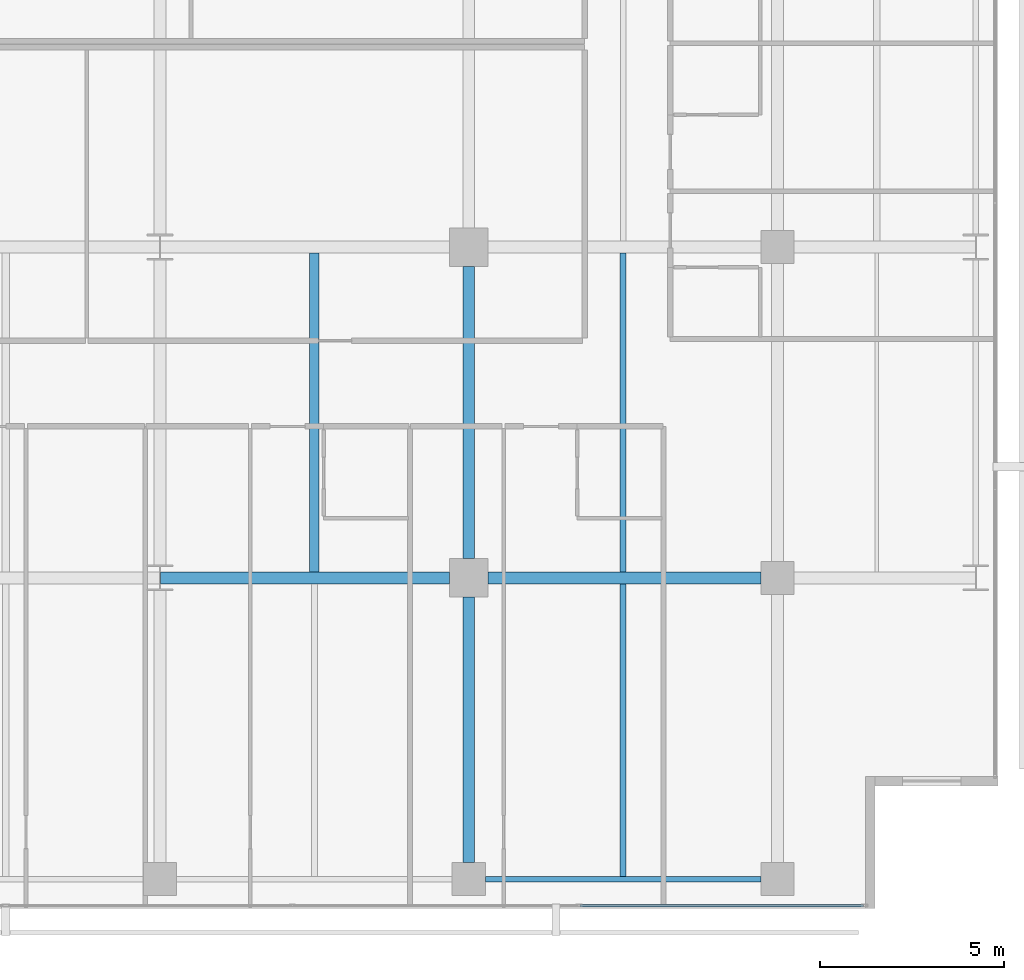
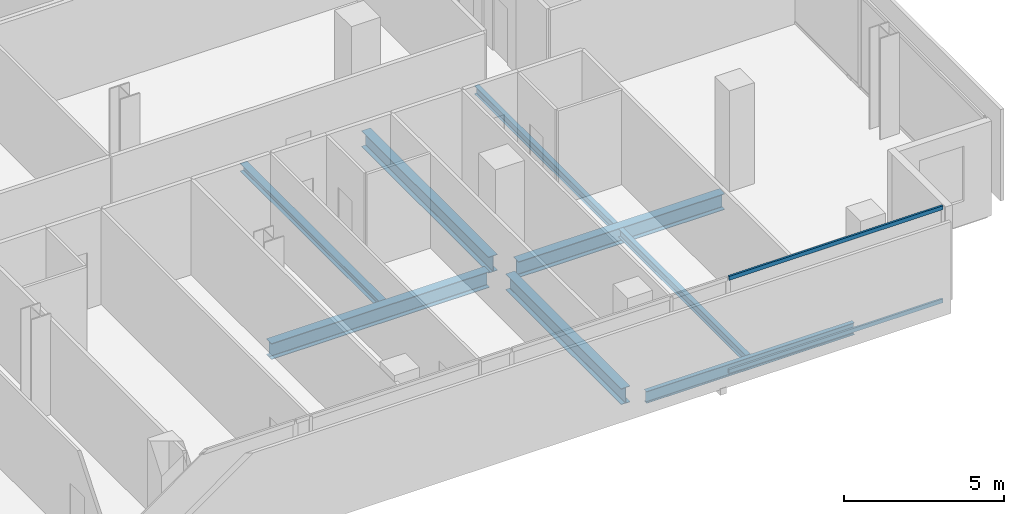
# One storey, part 15 of 40: 8 beams, 2 members, 1 element without a shape of its own.
"""IFC4 building model written with IfcOpenShell, lengths in metres."""

from ifc_helpers import new_model, si_unit, direction, frame, origin, origin_2d, place, context, subcontext, project, spatial, hollow_rectangle, i_section, extrude, material, layer, layer_set, material_profile, profile_set, type_object, element, aggregate, save


model = new_model("IFC4")

# Units and contexts
model_context = context("Model", 3, precision=1e-05, world=origin(), true_north=direction((0.0, 1.0)))
body_context = subcontext(model_context, "Body", "Model", "MODEL_VIEW")
ifc_project = project(units=[si_unit("LENGTHUNIT", "METRE"), si_unit("AREAUNIT", "SQUARE_METRE"), si_unit("VOLUMEUNIT", "CUBIC_METRE"), si_unit("PLANEANGLEUNIT", "RADIAN"), si_unit("MASSUNIT", "GRAM", prefix="KILO")], contexts=[model_context])

# Site, building, storey
site_placement = place(None, origin())
site = spatial("IfcSite", under=ifc_project, at=site_placement, CompositionType="ELEMENT")
building_placement = place(site_placement, origin())
building = spatial("IfcBuilding", under=site, at=building_placement, Name="Maruvema Waterfront Hotel and Observation Tower", CompositionType="ELEMENT")
storey_placement = place(building_placement, frame((0.0, 0.0, 77.0)))
storey = spatial("IfcBuildingStorey", under=building, at=storey_placement, Name="L18", CompositionType="ELEMENT", Elevation=77.0)

# Curtain wall, members
ifc_material_1 = material(Name="Anodised bronze aluminium and solar-control low-E IGU", Category="aluminium")
ifc_layer = layer(ifc_material_1, 0.159912109375, Name="Zone 1 Bronze Inner Thermal Curtain Wall System CW-02")
ifc_layer_set = layer_set([ifc_layer], Name="Anodised bronze aluminium and solar-control low-E IGU")
curtain_wall_type = type_object("IfcCurtainWallType", Name="Zone 1 Bronze Inner Thermal Curtain Wall System CW-02", PredefinedType="USERDEFINED", material=ifc_layer_set)
curtain_wall_placement = place(storey_placement, origin())
curtain_wall = element("IfcCurtainWall", 1, at=curtain_wall_placement, inside=storey, type_object=curtain_wall_type, Name="L18 Curtain Wall CW-L18-S", ObjectType="UNITISED CURTAIN WALL", PredefinedType="USERDEFINED")
ifc_material_2 = material(Name="Anodised architectural bronze aluminium", Category="aluminium")
ifc_material_profile_1 = material_profile(ifc_material_2, hollow_rectangle(XDim=0.070068359375, YDim=0.14990234375, WallThickness=0.00390625, at=origin_2d()), Name="ALU-T70x150")
ifc_profile_set_1 = profile_set([ifc_material_profile_1], Name="Anodised architectural bronze aluminium")
member_type = type_object("IfcMemberType", Name="Curtain Wall Horizontal Transom ALU-T70x150", PredefinedType="USERDEFINED", material=ifc_profile_set_1)
member_1_placement = place(storey_placement, frame((53.429931640625, 0.080078125, 0.030029296875), z_axis=(1.0, 0.0, 0.0), x_axis=(0.0, 1.0, 0.0)))
member_1 = element("IfcMember", 2, at=member_1_placement, type_object=member_type, Name="CW-02 transom 6.1", ObjectType="TRANSOM", PredefinedType="USERDEFINED", context=body_context, shape_type="SweptSolid", body=[
    extrude(hollow_rectangle(XDim=0.070068359375, YDim=0.14990234375, WallThickness=0.00390625, at=origin_2d()), origin(), (0.0, 0.0, 1.0), 7.7099609375),
])
member_2_placement = place(storey_placement, frame((53.429931640625, 0.080078125, 3.580078125), z_axis=(1.0, 0.0, 0.0), x_axis=(0.0, 1.0, 0.0)))
member_2 = element("IfcMember", 3, at=member_2_placement, type_object=member_type, Name="CW-02 transom 6.2", ObjectType="TRANSOM", PredefinedType="USERDEFINED", context=body_context, shape_type="SweptSolid", body=[
    extrude(hollow_rectangle(XDim=0.070068359375, YDim=0.14990234375, WallThickness=0.00390625, at=origin_2d()), origin(), (0.0, 0.0, 1.0), 7.7099609375),
])
aggregate(curtain_wall, [member_1, member_2])

# Beams
ifc_material_3 = material(Name="Steel ASTM A572 Grade 50", Category="steel")
ifc_material_profile_2 = material_profile(ifc_material_3, i_section(OverallWidth=0.153076171875, OverallDepth=0.455078125, WebThickness=0.008056640625, FlangeThickness=0.01318359375, FilletRadius=0.014892578125, at=origin_2d()), Name="W460x60.0")
ifc_profile_set_2 = profile_set([ifc_material_profile_2], Name="Steel ASTM A572 Grade 50")
beam_type_1 = type_object("IfcBeamType", Name="Perimeter Spandrel Beam W460x60.0", PredefinedType="SPANDREL", material=ifc_profile_set_2)
beam_1_placement = place(storey_placement, frame((50.85009765625, 0.800048828125, -0.467529296875), z_axis=(1.0, 0.0, 0.0), x_axis=(0.0, 1.0, 0.0)))
element("IfcBeam", 4, at=beam_1_placement, inside=storey, type_object=beam_type_1, Name="L18 Floor Girder EW-05", PredefinedType="SPANDREL", context=body_context, shape_type="SweptSolid", body=[
    extrude(i_section(OverallWidth=0.153076171875, OverallDepth=0.455078125, WebThickness=0.008056640625, FlangeThickness=0.01318359375, FilletRadius=0.014892578125, at=origin_2d()), origin(), (0.0, 0.0, 1.0), 7.5),
])
ifc_material_4 = material(Name="Steel ASTM A572 Grade 50", Category="steel")
ifc_material_profile_3 = material_profile(ifc_material_4, i_section(OverallWidth=0.323974609375, OverallDepth=0.611083984375, WebThickness=0.0126953125, FlangeThickness=0.01904296875, FilletRadius=0.01806640625, at=origin_2d()), Name="W610x155.0")
ifc_profile_set_3 = profile_set([ifc_material_profile_3], Name="Steel ASTM A572 Grade 50")
beam_type_2 = type_object("IfcBeamType", Name="Primary Floor Girder W610x155.0", PredefinedType="BEAM", material=ifc_profile_set_3)
beam_2_placement = place(storey_placement, frame((42.013916015625, 9.0, -0.54541015625), z_axis=(1.0, 0.0, 0.0), x_axis=(0.0, 1.0, 0.0)))
element("IfcBeam", 5, at=beam_2_placement, inside=storey, type_object=beam_type_2, Name="L18 Floor Girder EW-10", PredefinedType="BEAM", context=body_context, shape_type="SweptSolid", body=[
    extrude(i_section(OverallWidth=0.323974609375, OverallDepth=0.611083984375, WebThickness=0.0126953125, FlangeThickness=0.01904296875, FilletRadius=0.01806640625, at=origin_2d()), origin(), (0.0, 0.0, 1.0), 7.861083984375),
])
beam_3_placement = place(storey_placement, frame((50.925048828125, 9.0, -0.54541015625), z_axis=(1.0, 0.0, 0.0), x_axis=(0.0, 1.0, 0.0)))
element("IfcBeam", 6, at=beam_3_placement, inside=storey, type_object=beam_type_2, Name="L18 Floor Girder EW-11", PredefinedType="BEAM", context=body_context, shape_type="SweptSolid", body=[
    extrude(i_section(OverallWidth=0.323974609375, OverallDepth=0.611083984375, WebThickness=0.0126953125, FlangeThickness=0.01904296875, FilletRadius=0.01806640625, at=origin_2d()), origin(), (0.0, 0.0, 1.0), 7.425048828125),
])
beam_4_placement = place(storey_placement, frame((50.39990234375, 1.25, -0.54541015625), z_axis=(0.0, 1.0, 0.0), x_axis=(-1.0, 0.0, 0.0)))
element("IfcBeam", 7, at=beam_4_placement, inside=storey, type_object=beam_type_2, Name="L18 Floor Girder NS-22", PredefinedType="BEAM", context=body_context, shape_type="SweptSolid", body=[
    extrude(i_section(OverallWidth=0.323974609375, OverallDepth=0.611083984375, WebThickness=0.0126953125, FlangeThickness=0.01904296875, FilletRadius=0.01806640625, at=origin_2d()), origin(), (0.0, 0.0, 1.0), 7.22509765625),
])
beam_5_placement = place(storey_placement, frame((50.39990234375, 9.52490234375, -0.54541015625), z_axis=(0.0, 1.0, 0.0), x_axis=(-1.0, 0.0, 0.0)))
element("IfcBeam", 8, at=beam_5_placement, inside=storey, type_object=beam_type_2, Name="L18 Floor Girder NS-23", PredefinedType="BEAM", context=body_context, shape_type="SweptSolid", body=[
    extrude(i_section(OverallWidth=0.323974609375, OverallDepth=0.611083984375, WebThickness=0.0126953125, FlangeThickness=0.01904296875, FilletRadius=0.01806640625, at=origin_2d()), origin(), (0.0, 0.0, 1.0), 7.9501953125),
])
ifc_material_5 = material(Name="Steel ASTM A572 Grade 50", Category="steel")
ifc_material_profile_4 = material_profile(ifc_material_5, i_section(OverallWidth=0.1650390625, OverallDepth=0.31005859375, WebThickness=0.005859375, FlangeThickness=0.009765625, FilletRadius=0.012939453125, at=origin_2d()), Name="W310x38.7")
ifc_profile_set_4 = profile_set([ifc_material_profile_4], Name="Steel ASTM A572 Grade 50")
beam_type_3 = type_object("IfcBeamType", Name="Secondary Floor Joist W310x38.7", PredefinedType="JOIST", material=ifc_profile_set_4)
beam_6_placement = place(storey_placement, frame((54.60009765625, 9.162109375, -0.39501953125), z_axis=(0.0, 1.0, 0.0), x_axis=(-1.0, 0.0, 0.0)))
element("IfcBeam", 9, at=beam_6_placement, inside=storey, type_object=beam_type_3, Name="L18 Secondary Floor Joist JS-17", PredefinedType="JOIST", context=body_context, shape_type="SweptSolid", body=[
    extrude(i_section(OverallWidth=0.1650390625, OverallDepth=0.31005859375, WebThickness=0.005859375, FlangeThickness=0.009765625, FilletRadius=0.012939453125, at=origin_2d()), origin(), (0.0, 0.0, 1.0), 8.67578125),
])
ifc_material_6 = material(Name="Steel ASTM A572 Grade 50", Category="steel")
ifc_material_profile_5 = material_profile(ifc_material_6, i_section(OverallWidth=0.1669921875, OverallDepth=0.31689453125, WebThickness=0.007568359375, FlangeThickness=0.01318359375, FilletRadius=0.012939453125, at=origin_2d()), Name="W310x52.0")
ifc_profile_set_5 = profile_set([ifc_material_profile_5], Name="Steel ASTM A572 Grade 50")
beam_type_4 = type_object("IfcBeamType", Name="Secondary Floor Joist W310x52.0", PredefinedType="JOIST", material=ifc_profile_set_5)
beam_7_placement = place(storey_placement, frame((54.60009765625, 0.87646484375, -0.3984375), z_axis=(0.0, 1.0, 0.0), x_axis=(-1.0, 0.0, 0.0)))
element("IfcBeam", 10, at=beam_7_placement, inside=storey, type_object=beam_type_4, Name="L18 Secondary Floor Joist JS-16", PredefinedType="JOIST", context=body_context, shape_type="SweptSolid", body=[
    extrude(i_section(OverallWidth=0.1669921875, OverallDepth=0.31689453125, WebThickness=0.007568359375, FlangeThickness=0.01318359375, FilletRadius=0.012939453125, at=origin_2d()), origin(), (0.0, 0.0, 1.0), 7.96142578125),
])
ifc_material_7 = material(Name="Steel ASTM A572 Grade 50", Category="steel")
ifc_material_profile_6 = material_profile(ifc_material_7, i_section(OverallWidth=0.25390625, OverallDepth=0.305908203125, WebThickness=0.0087890625, FlangeThickness=0.0146484375, FilletRadius=0.014892578125, at=origin_2d()), Name="W310x79.0")
ifc_profile_set_6 = profile_set([ifc_material_profile_6], Name="Steel ASTM A572 Grade 50")
beam_type_5 = type_object("IfcBeamType", Name="Secondary Floor Joist W310x79.0", PredefinedType="JOIST", material=ifc_profile_set_6)
beam_8_placement = place(storey_placement, frame((46.199951171875, 9.162109375, -0.39306640625), z_axis=(0.0, 1.0, 0.0), x_axis=(-1.0, 0.0, 0.0)))
element("IfcBeam", 11, at=beam_8_placement, inside=storey, type_object=beam_type_5, Name="L18 Secondary Floor Joist JS-15", PredefinedType="JOIST", context=body_context, shape_type="SweptSolid", body=[
    extrude(i_section(OverallWidth=0.25390625, OverallDepth=0.305908203125, WebThickness=0.0087890625, FlangeThickness=0.0146484375, FilletRadius=0.014892578125, at=origin_2d()), origin(), (0.0, 0.0, 1.0), 8.67578125),
])

save(model, "model.ifc")
